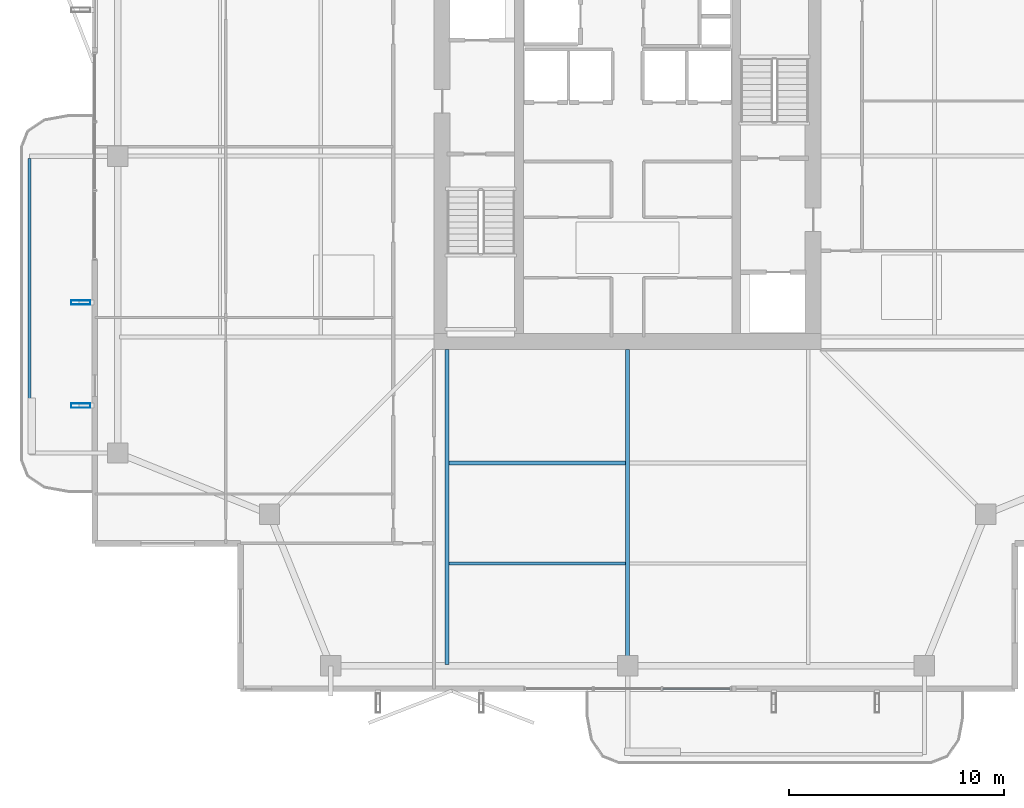
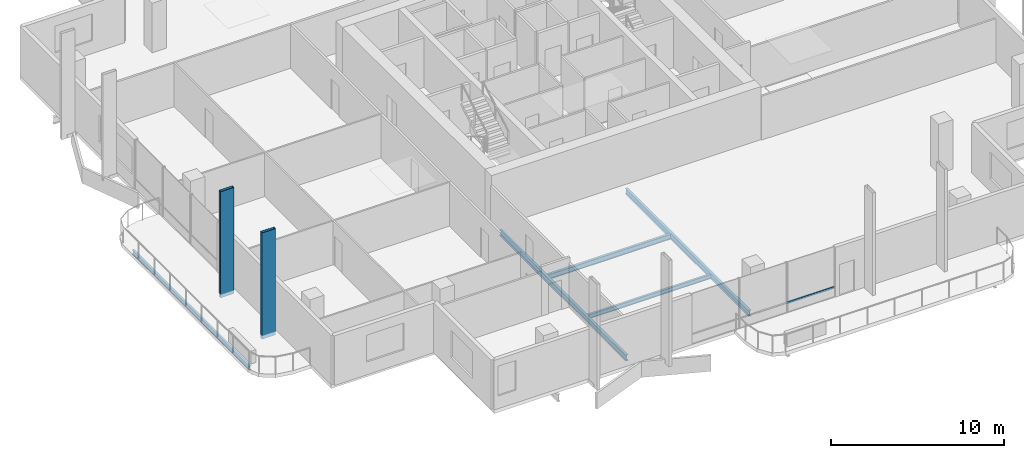
# One storey, part 3 of 25: 5 beams, 3 members, 1 element without a shape of its own.
"""IFC4 building model written with IfcOpenShell, lengths in metres."""

from ifc_helpers import new_model, si_unit, direction, frame, origin, origin_2d, place, context, subcontext, project, spatial, hollow_rectangle, i_section, extrude, material, layer, layer_set, material_profile, profile_set, type_object, element, aggregate, save


model = new_model("IFC4")

# Units and contexts
model_context = context("Model", 3, precision=1e-05, world=origin(), true_north=direction((0.0, 1.0)))
body_context = subcontext(model_context, "Body", "Model", "MODEL_VIEW")
ifc_project = project(units=[si_unit("LENGTHUNIT", "METRE"), si_unit("AREAUNIT", "SQUARE_METRE"), si_unit("VOLUMEUNIT", "CUBIC_METRE"), si_unit("PLANEANGLEUNIT", "RADIAN"), si_unit("MASSUNIT", "GRAM", prefix="KILO")], contexts=[model_context])

# Site, building, storey
site_placement = place(None, origin())
site = spatial("IfcSite", under=ifc_project, at=site_placement, CompositionType="ELEMENT")
building_placement = place(site_placement, origin())
building = spatial("IfcBuilding", under=site, at=building_placement, Name="Belovzor Exchange Tower", CompositionType="ELEMENT")
storey_placement = place(building_placement, frame((0.0, 0.0, 272.85009765625)))
storey = spatial("IfcBuildingStorey", under=building, at=storey_placement, Name="L68", CompositionType="ELEMENT", Elevation=272.85009765625)

# Beams
ifc_material_1 = material(Name="Steel S355", Category="steel")
ifc_material_profile_1 = material_profile(ifc_material_1, i_section(OverallWidth=0.14990234375, OverallDepth=0.300048828125, WebThickness=0.007080078125, FlangeThickness=0.0107421875, at=origin_2d()))
ifc_profile_set_1 = profile_set([ifc_material_profile_1], Name="Steel S355")
beam_type_1 = type_object("IfcBeamType", Name="Planted Balcony Fascia Edge Beam IPE 300", PredefinedType="BEAM", material=ifc_profile_set_1)
beam_1_placement = place(storey_placement, frame((0.989013671875, 28.699951171875, -0.400146484375), z_axis=(0.0, -1.0, 0.0), x_axis=(1.0, 0.0, 0.0)))
element("IfcBeam", 1, at=beam_1_placement, inside=storey, type_object=beam_type_1, Name="BC-300 Planted Balcony Fascia Edge Beam IPE 300", PredefinedType="BEAM", context=body_context, shape_type="SweptSolid", body=[
    extrude(i_section(OverallWidth=0.14990234375, OverallDepth=0.300048828125, WebThickness=0.007080078125, FlangeThickness=0.0107421875, at=origin_2d()), origin(), (0.0, 0.0, 1.0), 13.599853515625),
])
ifc_material_2 = material(Name="Steel S355", Category="steel")
ifc_material_profile_2 = material_profile(ifc_material_2, i_section(OverallWidth=0.169921875, OverallDepth=0.360107421875, WebThickness=0.008056640625, FlangeThickness=0.0126953125, at=origin_2d()))
ifc_profile_set_2 = profile_set([ifc_material_profile_2], Name="Steel S355")
beam_type_2 = type_object("IfcBeamType", Name="Secondary Infill Floor Joist IPE 360", PredefinedType="BEAM", material=ifc_profile_set_2)
beam_2_placement = place(storey_placement, frame((20.489990234375, 14.534912109375, -0.43017578125), z_axis=(1.0, 0.0, 0.0), x_axis=(0.0, 1.0, 0.0)))
element("IfcBeam", 2, at=beam_2_placement, inside=storey, type_object=beam_type_2, Name="FJ-360 Secondary Infill Floor Joist IPE 360", PredefinedType="BEAM", context=body_context, shape_type="SweptSolid", body=[
    extrude(i_section(OverallWidth=0.169921875, OverallDepth=0.360107421875, WebThickness=0.008056640625, FlangeThickness=0.0126953125, at=origin_2d()), origin(), (0.0, 0.0, 1.0), 8.219970703125),
])
ifc_material_3 = material(Name="Steel S355", Category="steel")
ifc_material_profile_3 = material_profile(ifc_material_3, i_section(OverallWidth=0.14990234375, OverallDepth=0.300048828125, WebThickness=0.007080078125, FlangeThickness=0.0107421875, at=origin_2d()))
ifc_profile_set_3 = profile_set([ifc_material_profile_3], Name="Steel S355")
beam_type_3 = type_object("IfcBeamType", Name="Secondary Trim Floor Joist IPE 300", PredefinedType="BEAM", material=ifc_profile_set_3)
beam_3_placement = place(storey_placement, frame((20.489990234375, 9.85498046875, -0.400146484375), z_axis=(1.0, 0.0, 0.0), x_axis=(0.0, 1.0, 0.0)))
element("IfcBeam", 3, at=beam_3_placement, inside=storey, type_object=beam_type_3, Name="FJ-300 Secondary Trim Floor Joist IPE 300", PredefinedType="BEAM", context=body_context, shape_type="SweptSolid", body=[
    extrude(i_section(OverallWidth=0.14990234375, OverallDepth=0.300048828125, WebThickness=0.007080078125, FlangeThickness=0.0107421875, at=origin_2d()), origin(), (0.0, 0.0, 1.0), 8.219970703125),
])

# Members
ifc_material_4 = material(Name="Extruded Architectural Terracotta on Steel S355 Carrier", Category="masonry")
ifc_material_profile_4 = material_profile(ifc_material_4, hollow_rectangle(XDim=0.199951171875, YDim=0.89990234375, WallThickness=0.011962890625, at=origin_2d()))
ifc_profile_set_4 = profile_set([ifc_material_profile_4], Name="Extruded Architectural Terracotta on Steel S355 Carrier")
member_type_1 = type_object("IfcMemberType", Name="Sweeping Terracotta Baguette Fin Assembly 950", PredefinedType="USERDEFINED", material=ifc_profile_set_4)
for number, where, z_axis, x_axis, name in (
    (4, (3.375, 17.199951171875, -0.25), (0.0, 0.0, 1.0), (0.0, 1.0, 0.0), "FIN-TC095 Terracotta Facade Fin L68 W1"),
    (5, (3.375, 22.0, -0.25), (0.0, 0.0, 1.0), (0.0, 1.0, 0.0), "FIN-TC095 Terracotta Facade Fin L68 W2"),
):
    element("IfcMember", number, at=place(storey_placement, frame(where, z_axis=z_axis, x_axis=x_axis)), inside=storey, type_object=member_type_1, Name=name, ObjectType="FIN", PredefinedType="USERDEFINED", context=body_context, shape_type="SweptSolid", body=[
        extrude(hollow_rectangle(XDim=0.199951171875, YDim=0.89990234375, WallThickness=0.011962890625, at=origin_2d()), origin(), (0.0, 0.0, 1.0), 7.5),
    ])

# Curtain wall, member
ifc_material_5 = material(Name="Anodised Aluminium Framing", Category="aluminium")
ifc_layer = layer(ifc_material_5, 0.179931640625)
ifc_layer_set = layer_set([ifc_layer], Name="Anodised Aluminium Framing")
curtain_wall_type = type_object("IfcCurtainWallType", Name="Recessed Loggia Low-Iron Triple-Glazed Curtain Wall", PredefinedType="NOTDEFINED", material=ifc_layer_set)
curtain_wall_placement = place(storey_placement, origin())
curtain_wall = element("IfcCurtainWall", 6, at=curtain_wall_placement, inside=storey, type_object=curtain_wall_type, Name="CW3 Recessed Loggia Low-Iron Triple-Glazed Curtain Wall L68", PredefinedType="NOTDEFINED")
ifc_material_6 = material(Name="Steel S355", Category="steel")
ifc_material_profile_5 = material_profile(ifc_material_6, hollow_rectangle(XDim=0.06005859375, YDim=0.14990234375, WallThickness=0.00390625, at=origin_2d()))
ifc_profile_set_5 = profile_set([ifc_material_profile_5], Name="Steel S355")
member_type_2 = type_object("IfcMemberType", Name="Thermally Broken Curtain Wall Transom 150x60", PredefinedType="USERDEFINED", material=ifc_profile_set_5)
member_placement = place(storey_placement, frame((33.592041015625, 4.030029296875, 0.6298828125), z_axis=(-1.0, 0.0, 0.0), x_axis=(0.0, -1.0, 0.0)))
member = element("IfcMember", 7, at=member_placement, type_object=member_type_2, Name="CW-T150 Curtain Wall Transom 1", ObjectType="TRANSOM", PredefinedType="USERDEFINED", context=body_context, shape_type="SweptSolid", body=[
    extrude(hollow_rectangle(XDim=0.06005859375, YDim=0.14990234375, WallThickness=0.00390625, at=origin_2d()), origin(), (0.0, 0.0, 1.0), 3.18408203125),
])
aggregate(curtain_wall, [member])

# Beams
ifc_material_7 = material(Name="Steel S355", Category="steel")
ifc_material_profile_6 = material_profile(ifc_material_7, i_section(OverallWidth=0.179931640625, OverallDepth=0.39990234375, WebThickness=0.008544921875, FlangeThickness=0.013427734375, at=origin_2d()))
ifc_profile_set_6 = profile_set([ifc_material_profile_6], Name="Steel S355")
beam_type_4 = type_object("IfcBeamType", Name="Zone 5-6 Radial Composite Floor Beam IPE 400", PredefinedType="BEAM", material=ifc_profile_set_6)
beam_4_placement = place(storey_placement, frame((20.39990234375, 19.800048828125, -0.4501953125), z_axis=(0.0, -1.0, 0.0), x_axis=(1.0, 0.0, 0.0)))
element("IfcBeam", 8, at=beam_4_placement, inside=storey, type_object=beam_type_4, Name="FB-400 Zone 5-6 Radial Composite Floor Beam IPE 400", PredefinedType="BEAM", context=body_context, shape_type="SweptSolid", body=[
    extrude(i_section(OverallWidth=0.179931640625, OverallDepth=0.39990234375, WebThickness=0.008544921875, FlangeThickness=0.013427734375, at=origin_2d()), origin(), (0.0, 0.0, 1.0), 14.625),
])
beam_5_placement = place(storey_placement, frame((28.800048828125, 19.800048828125, -0.4501953125), z_axis=(0.0, -1.0, 0.0), x_axis=(1.0, 0.0, 0.0)))
element("IfcBeam", 9, at=beam_5_placement, inside=storey, type_object=beam_type_4, Name="FB-400 Zone 5-6 Radial Composite Floor Beam IPE 400", PredefinedType="BEAM", context=body_context, shape_type="SweptSolid", body=[
    extrude(i_section(OverallWidth=0.179931640625, OverallDepth=0.39990234375, WebThickness=0.008544921875, FlangeThickness=0.013427734375, at=origin_2d()), origin(), (0.0, 0.0, 1.0), 14.281982421875),
])

save(model, "model.ifc")
